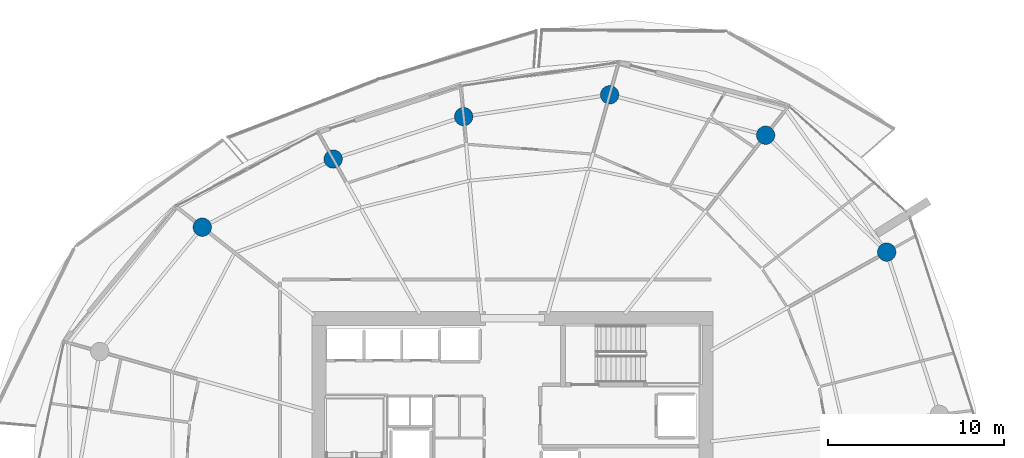
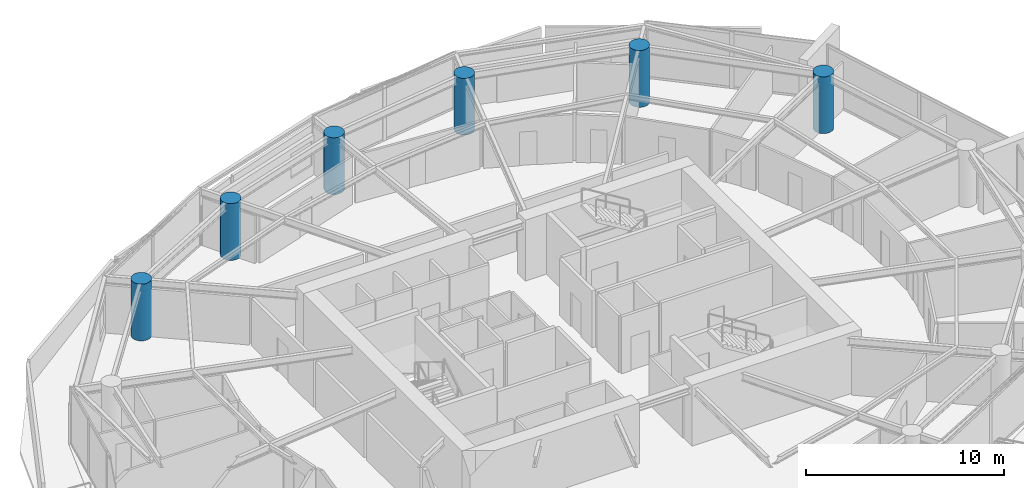
# One storey, part 4 of 20: 6 columns.
"""IFC4 building model written with IfcOpenShell, lengths in metres."""

from ifc_helpers import new_model, si_unit, direction, frame, origin, origin_2d, place, context, subcontext, project, spatial, circle, extrude, material, material_profile, profile_set, type_object, element, save


model = new_model("IFC4")

# Units and contexts
model_context = context("Model", 3, precision=1e-05, world=origin(), true_north=direction((0.0, 1.0)))
body_context = subcontext(model_context, "Body", "Model", "MODEL_VIEW")
ifc_project = project(units=[si_unit("LENGTHUNIT", "METRE"), si_unit("AREAUNIT", "SQUARE_METRE"), si_unit("VOLUMEUNIT", "CUBIC_METRE"), si_unit("PLANEANGLEUNIT", "RADIAN"), si_unit("MASSUNIT", "GRAM", prefix="KILO")], contexts=[model_context])

# Site, building, storey
site_placement = place(None, origin())
site = spatial("IfcSite", under=ifc_project, at=site_placement, CompositionType="ELEMENT")
building_placement = place(site_placement, origin())
building = spatial("IfcBuilding", under=site, at=building_placement, Name="Kazma Halo Residences", CompositionType="ELEMENT")
storey_placement = place(building_placement, frame((0.0, 0.0, 135.300048828125)))
storey = spatial("IfcBuildingStorey", under=building, at=storey_placement, Name="L33", CompositionType="ELEMENT", Elevation=135.300048828125)

# Columns
ifc_material = material(Name="Concrete C80/95", Category="concrete")
ifc_material_profile = material_profile(ifc_material, circle(Radius=0.52490234375, at=origin_2d()), Name="CIRC1050")
ifc_profile_set = profile_set([ifc_material_profile], Name="Concrete C80/95")
column_type = type_object("IfcColumnType", Name="COL-PERIM-1050", PredefinedType="COLUMN", material=ifc_profile_set)
for number, where, z_axis, x_axis, name in (
    (1, (69.730224609375, 54.16943359375, 0.0), (0.0, 0.0, 1.0), (1.0, 0.0, 0.0), "L33 perimeter ring column P01"),
    (2, (62.839599609375, 60.82373046875, 0.0), (0.0, 0.0, 1.0), (1.0, 0.0, 0.0), "L33 perimeter ring column P02"),
    (3, (53.95703125, 63.121826171875, 0.0), (0.0, 0.0, 1.0), (1.0, 0.0, 0.0), "L33 perimeter ring column P03"),
    (4, (45.64697265625, 61.881103515625, 0.0), (0.0, 0.0, 1.0), (1.0, 0.0, 0.0), "L33 perimeter ring column P04"),
    (5, (38.218017578125, 59.46728515625, 0.0), (0.0, 0.0, 1.0), (1.0, 0.0, 0.0), "L33 perimeter ring column P05"),
    (6, (30.765625, 55.58642578125, 0.0), (0.0, 0.0, 1.0), (1.0, 0.0, 0.0), "L33 perimeter ring column P06"),
):
    element("IfcColumn", number, at=place(storey_placement, frame(where, z_axis=z_axis, x_axis=x_axis)), inside=storey, type_object=column_type, Name=name, PredefinedType="COLUMN", context=body_context, shape_type="SweptSolid", body=[
        extrude(circle(Radius=0.52490234375, at=origin_2d()), origin(), (0.0, 0.0, 1.0), 3.5),
    ])

save(model, "model.ifc")
